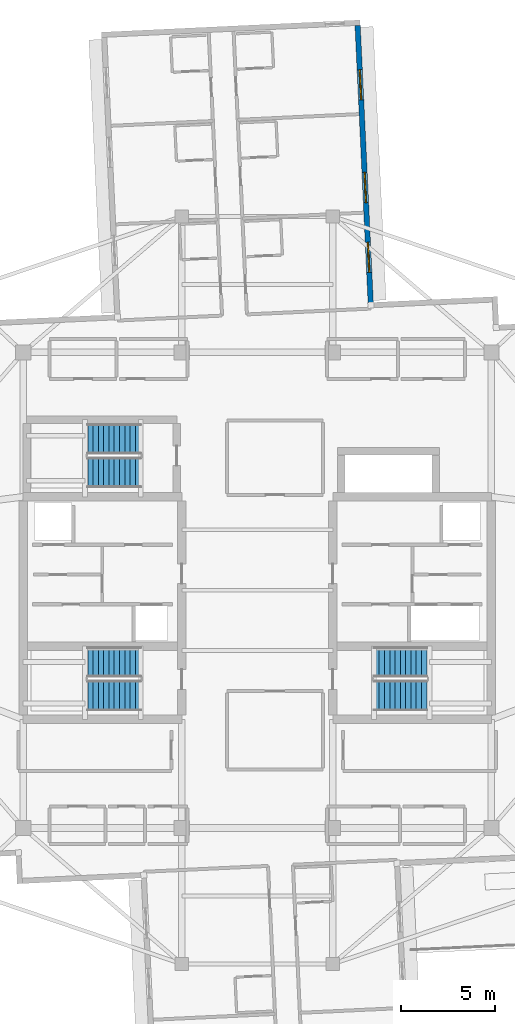
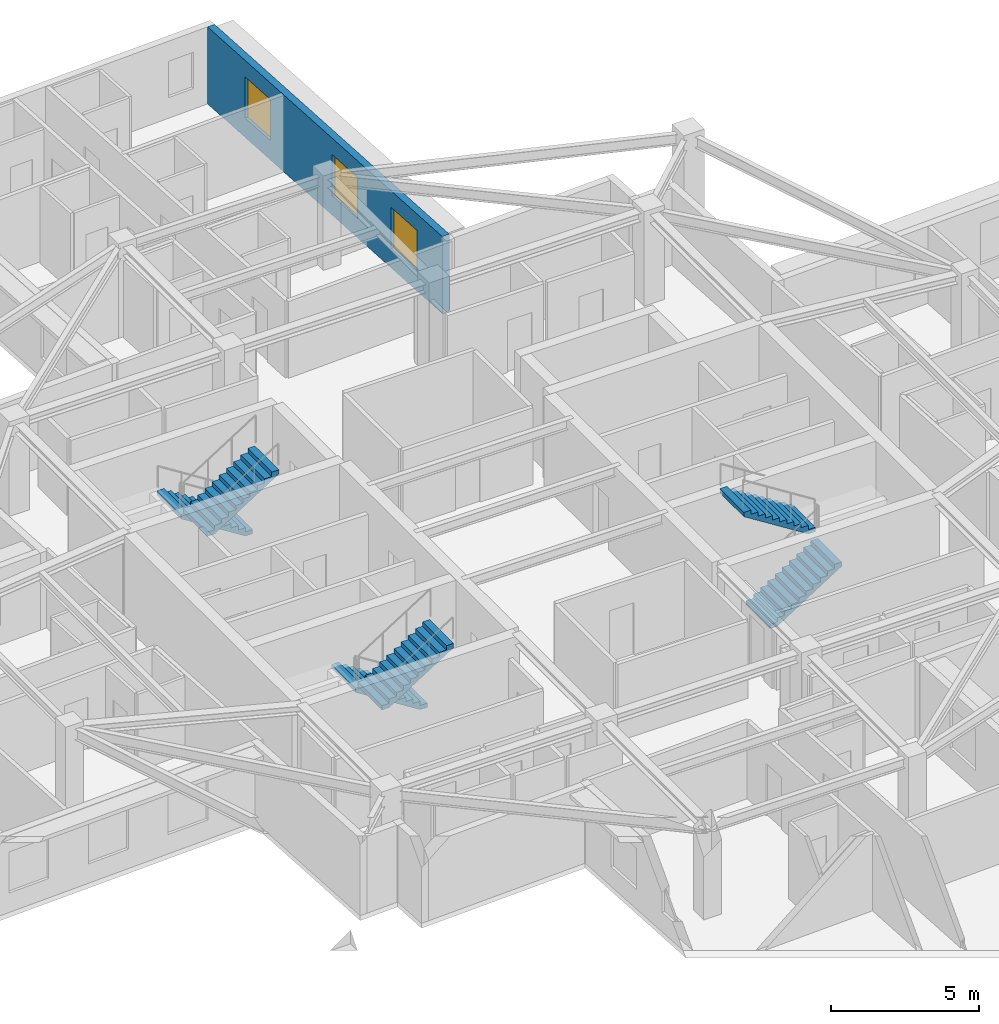
# One storey, part 9 of 13: 6 stair flights, 3 windows, 1 wall, 3 openings, 3 elements without a shape of their own.
"""IFC4 building model written with IfcOpenShell, lengths in metres."""

import ifcopenshell
import ifcopenshell.guid

model = None  # the IFC model being written
_history = None  # IfcOwnerHistory: only IFC2X3 demands one
_inside = {}  # id of a spatial element -> (the spatial element, [elements in it])
_under = {}  # id of a project, library or spatial element -> (it, [spatial elements below it])
_declared = {}  # id of a project -> (the project, [libraries it declares])
_typed = {}  # id of a type object -> (the type object, [elements of that type])
_made_of = {}  # id of a material, layer set ... -> (it, [elements and type objects made of it])


def new_model(schema):
    """Start an empty IFC model of exactly this schema.

    Asked for "IFC4X3", IfcOpenShell would pick the latest addendum, in which some entities
    have other attributes; the version numbers below select the first issue.
    IFC2X3 requires an IfcOwnerHistory on every rooted entity: one is made here for all.
    """
    global model, _history
    if schema == "IFC4X3":
        model = ifcopenshell.file(schema_version=(4, 3, 0, 0))
    else:
        model = ifcopenshell.file(schema=schema)
    _inside.clear()
    _under.clear()
    _declared.clear()
    _typed.clear()
    _made_of.clear()
    _history = None
    if model.schema == "IFC2X3":
        org = make("IfcOrganization", Name="unknown")
        user = make(
            "IfcPersonAndOrganization",
            ThePerson=make("IfcPerson", FamilyName="unknown"),
            TheOrganization=org,
        )
        app = make(
            "IfcApplication",
            ApplicationDeveloper=org,
            Version="unknown",
            ApplicationFullName="unknown",
            ApplicationIdentifier="unknown",
        )
        _history = make(
            "IfcOwnerHistory",
            OwningUser=user,
            OwningApplication=app,
            ChangeAction="ADDED",
            CreationDate=0,
        )
    return model


def make(cls, **values):
    """One entity of the class cls with the attributes given. An attribute that is None is left unset."""
    return model.create_entity(
        cls, **{name: value for name, value in values.items() if value is not None}
    )


def rooted(cls, **values):
    """An entity with a GlobalId (a new one), such as an element, a storey or a relation."""
    return make(cls, GlobalId=ifcopenshell.guid.new(), OwnerHistory=_history, **values)


def si_unit(unit_type, name, prefix=None):
    """IfcSIUnit, for example si_unit("LENGTHUNIT", "METRE", prefix="MILLI")."""
    return make("IfcSIUnit", UnitType=unit_type, Prefix=prefix, Name=name)


def assignment(units):
    """IfcUnitAssignment: the units of a project."""
    return None if units is None else make("IfcUnitAssignment", Units=units)


def point(xyz):
    """IfcCartesianPoint."""
    return None if xyz is None else make("IfcCartesianPoint", Coordinates=xyz)


def direction(xyz):
    """IfcDirection."""
    return None if xyz is None else make("IfcDirection", DirectionRatios=xyz)


def frame(location, z_axis=None, x_axis=None):
    """IfcAxis2Placement3D, a coordinate frame: its origin and axes. An axis left out is left unset."""
    return make(
        "IfcAxis2Placement3D",
        Location=point(location),
        Axis=direction(z_axis),
        RefDirection=direction(x_axis),
    )


def frame_2d(location, x_axis=None):
    """IfcAxis2Placement2D, a coordinate frame in the plane: its origin and x axis."""
    return make(
        "IfcAxis2Placement2D", Location=point(location), RefDirection=direction(x_axis)
    )


def origin():
    """The frame at (0, 0, 0) with its axes left unset."""
    return frame((0.0, 0.0, 0.0))


def place(relative_to, where):
    """IfcLocalPlacement: puts the frame where relative to a parent placement (None: the world)."""
    return make(
        "IfcLocalPlacement", PlacementRelTo=relative_to, RelativePlacement=where
    )


def context(
    kind, dimensions, precision=None, world=None, true_north=None, identifier=None
):
    """IfcGeometricRepresentationContext, for example the 3D "Model" context."""
    return make(
        "IfcGeometricRepresentationContext",
        ContextIdentifier=identifier,
        ContextType=kind,
        CoordinateSpaceDimension=dimensions,
        Precision=precision,
        WorldCoordinateSystem=world,
        TrueNorth=true_north,
    )


def subcontext(parent, identifier, kind, view, scale=None):
    """IfcGeometricRepresentationSubContext, for example "Body" below "Model"."""
    return make(
        "IfcGeometricRepresentationSubContext",
        ContextIdentifier=identifier,
        ContextType=kind,
        ParentContext=parent,
        TargetScale=scale,
        TargetView=view,
    )


def project(units=None, contexts=None):
    """IfcProject with its units and contexts."""
    return rooted(
        "IfcProject",
        Name="project",
        RepresentationContexts=contexts,
        UnitsInContext=assignment(units),
    )


def spatial(cls, under=None, at=None, **own):
    """A site, building, storey or space (cls), placed at a placement, below another one or the project."""
    s = rooted(cls, ObjectPlacement=at, **own)
    if under is not None:
        _under.setdefault(under.id(), (under, []))[1].append(s)
    return s


def polyline(points):
    """IfcPolyline through the points."""
    return make("IfcPolyline", Points=[point(p) for p in points])


def profile(cls, at=None, kind="AREA", **sizes):
    """A parametric profile (cls). Its sizes go by their IFC names, for example OverallWidth=200.0."""
    return make(cls, ProfileType=kind, Position=at, **sizes)


def rectangle(**sizes):
    """IfcRectangleProfileDef."""
    return profile("IfcRectangleProfileDef", **sizes)


def outline(outer, holes=None, kind="AREA"):
    """IfcArbitraryClosedProfileDef: a profile drawn as a closed curve; with holes, ...WithVoids."""
    if holes is None:
        return make("IfcArbitraryClosedProfileDef", ProfileType=kind, OuterCurve=outer)
    return make(
        "IfcArbitraryProfileDefWithVoids",
        ProfileType=kind,
        OuterCurve=outer,
        InnerCurves=holes,
    )


def extrude(swept, where, along, depth):
    """IfcExtrudedAreaSolid: the profile swept, set in the frame where, extruded along a direction by depth."""
    return make(
        "IfcExtrudedAreaSolid",
        SweptArea=swept,
        Position=where,
        ExtrudedDirection=direction(along),
        Depth=depth,
    )


def shape(context_of_items, identifier, shape_type, items):
    """IfcShapeRepresentation: the items that make up one representation, for example the "Body"."""
    return make(
        "IfcShapeRepresentation",
        ContextOfItems=context_of_items,
        RepresentationIdentifier=identifier,
        RepresentationType=shape_type,
        Items=items,
    )


def material(Name=None, Category=None):
    """IfcMaterial."""
    return make("IfcMaterial", Name=Name, Category=Category)


def layer(
    of_material, thickness, ventilated=None, Name=None, Category=None, Priority=None
):
    """IfcMaterialLayer: one layer of a wall or slab, of a material (None: an air gap)."""
    return make(
        "IfcMaterialLayer",
        Material=of_material,
        LayerThickness=thickness,
        IsVentilated=ventilated,
        Name=Name,
        Category=Category,
        Priority=Priority,
    )


def layer_set(layers, Name=None):
    """IfcMaterialLayerSet."""
    return make("IfcMaterialLayerSet", MaterialLayers=layers, LayerSetName=Name)


def made_of(thing, what):
    """Note that an element or type object is made of a material, layer set ...; save() writes the relation."""
    if what is not None:
        _made_of.setdefault(what.id(), (what, []))[1].append(thing)
    return thing


def type_object(cls, material=None, **own):
    """A type object (cls), such as IfcWallType, which elements share."""
    return made_of(rooted(cls, **own), material)


def element(
    cls,
    number,
    at=None,
    inside=None,
    cuts=None,
    type_object=None,
    material=None,
    context=None,
    identifier="Body",
    shape_type=None,
    held_by="IfcProductDefinitionShape",
    body=None,
    shapes=None,
    **own,
):
    """One element of the class cls, such as IfcWall. Its Tag is "e" and its number.

    at: its placement. inside: the storey or other place that contains it. cuts: it is an
    opening in that element (IfcRelVoidsElement). A single representation is given by context,
    identifier, shape_type and body (its items); several are given by shapes. held_by: the class
    of the entity that holds the representations. save() writes the other relations.
    """
    e = rooted(cls, Tag="e%d" % number, ObjectPlacement=at, **own)
    if body is not None:
        shapes = [shape(context, identifier, shape_type, body)]
    if shapes is not None:
        e.Representation = make(held_by, Representations=shapes)
    if inside is not None:
        _inside.setdefault(inside.id(), (inside, []))[1].append(e)
    if cuts is not None:
        rooted(
            "IfcRelVoidsElement", RelatingBuildingElement=cuts, RelatedOpeningElement=e
        )
    if type_object is not None:
        _typed.setdefault(type_object.id(), (type_object, []))[1].append(e)
    return made_of(e, material)


def fill(opening, filler):
    """IfcRelFillsElement: the door or window that sits in an opening."""
    return rooted(
        "IfcRelFillsElement",
        RelatingOpeningElement=opening,
        RelatedBuildingElement=filler,
    )


def aggregate(whole, parts):
    """IfcRelAggregates: a whole, such as a stair, and the parts it consists of."""
    return rooted("IfcRelAggregates", RelatingObject=whole, RelatedObjects=parts)


def save(model, path):
    """Write the relations noted so far, then the file.

    IfcRelAggregates (storeys below a building ...), IfcRelContainedInSpatialStructure (elements
    in a storey), IfcRelDefinesByType, IfcRelAssociatesMaterial and IfcRelDeclares: one each for
    every whole, place, type object, material and project.
    """
    for whole, parts in _under.values():
        aggregate(whole, parts)
    for where, things in _inside.values():
        rooted(
            "IfcRelContainedInSpatialStructure",
            RelatedElements=things,
            RelatingStructure=where,
        )
    for kind, things in _typed.values():
        rooted("IfcRelDefinesByType", RelatedObjects=things, RelatingType=kind)
    for what, things in _made_of.values():
        rooted("IfcRelAssociatesMaterial", RelatedObjects=things, RelatingMaterial=what)
    for by, libraries in _declared.values():
        rooted("IfcRelDeclares", RelatingContext=by, RelatedDefinitions=libraries)
    model.write(path)


model = new_model("IFC4")

# Units and contexts
model_context = context("Model", 3, precision=1e-05, world=origin(), true_north=direction((0.0, 1.0)))
body_context = subcontext(model_context, "Body", "Model", "MODEL_VIEW")
ifc_project = project(units=[si_unit("LENGTHUNIT", "METRE"), si_unit("AREAUNIT", "SQUARE_METRE"), si_unit("VOLUMEUNIT", "CUBIC_METRE"), si_unit("PLANEANGLEUNIT", "RADIAN"), si_unit("MASSUNIT", "GRAM", prefix="KILO")], contexts=[model_context])

# Site, building, storey
site_placement = place(None, origin())
site = spatial("IfcSite", under=ifc_project, at=site_placement, CompositionType="ELEMENT")
building_placement = place(site_placement, origin())
building = spatial("IfcBuilding", under=site, at=building_placement, Name="Qingluan Cross Belvedere", CompositionType="ELEMENT")
storey_placement = place(building_placement, frame((0.0, 0.0, 277.199951171875)))
storey = spatial("IfcBuildingStorey", under=building, at=storey_placement, Name="L69", CompositionType="ELEMENT", Elevation=277.199951171875)

# Wall, openings, windows
ifc_material_1 = material(Name="Precast concrete C45", Category="concrete")
ifc_layer_1 = layer(ifc_material_1, 0.280029296875, Name="PrecastFacadeWall_280")
ifc_layer_set_1 = layer_set([ifc_layer_1], Name="Precast concrete C45")
wall_type = type_object("IfcWallType", Name="PrecastFacadeWall_280", PredefinedType="STANDARD", material=ifc_layer_set_1)
wall_placement = place(storey_placement, frame((6.0087890625, 15.239990234375, 0.0), z_axis=(0.0, 0.0, 1.0), x_axis=(-0.047101163748, 0.998890124275, 0.0)))
wall = element("IfcWall", 1, at=wall_placement, inside=storey, type_object=wall_type, Name="Facade wall L69-NA", PredefinedType="STANDARD", context=body_context, shape_type="SweptSolid", body=[
    extrude(rectangle(XDim=14.699951171875, YDim=0.280029296875, at=frame_2d((7.35009765625, 0.0))), origin(), (0.0, 0.0, 1.0), 3.179931640625),
])
opening_1_placement = place(wall_placement, frame((1.60009765625, 0.0, 0.800048828125)))
opening_1 = element("IfcOpeningElement", 2, at=opening_1_placement, cuts=wall, Name="Opening W-04", PredefinedType="OPENING", context=body_context, shape_type="SweptSolid", body=[
    extrude(rectangle(XDim=1.60009765625, YDim=1.699951171875, at=frame_2d((0.800048828125, 0.85009765625))), frame((0.0, 0.14990234375, 0.0), z_axis=(0.0, -1.0, 0.0), x_axis=(1.0, 0.0, 0.0)), (0.0, 0.0, 1.0), 0.300048828125),
])
opening_2_placement = place(wall_placement, frame((5.300048828125, 0.0, 0.800048828125)))
opening_2 = element("IfcOpeningElement", 3, at=opening_2_placement, cuts=wall, Name="Opening W-04", PredefinedType="OPENING", context=body_context, shape_type="SweptSolid", body=[
    extrude(rectangle(XDim=1.60009765625, YDim=1.699951171875, at=frame_2d((0.800048828125, 0.85009765625))), frame((0.0, 0.14990234375, 0.0), z_axis=(0.0, -1.0, 0.0), x_axis=(1.0, 0.0, 0.0)), (0.0, 0.0, 1.0), 0.300048828125),
])
opening_3_placement = place(wall_placement, frame((10.75, 0.0, 0.800048828125)))
opening_3 = element("IfcOpeningElement", 4, at=opening_3_placement, cuts=wall, Name="Opening W-04", PredefinedType="OPENING", context=body_context, shape_type="SweptSolid", body=[
    extrude(rectangle(XDim=1.60009765625, YDim=1.699951171875, at=frame_2d((0.800048828125, 0.85009765625))), frame((0.0, 0.14990234375, 0.0), z_axis=(0.0, -1.0, 0.0), x_axis=(1.0, 0.0, 0.0)), (0.0, 0.0, 1.0), 0.300048828125),
])
ifc_material_2 = material(Name="Thermally broken triple Low-E glass in aluminium frame", Category="aluminium")
window_type = type_object("IfcWindowType", Name="SuiteCornerWin_1600x1700", PartitioningType="SINGLE_PANEL", PredefinedType="WINDOW", material=ifc_material_2)
window_1_placement = place(opening_1_placement, origin())
window_1 = element("IfcWindow", 5, at=window_1_placement, inside=storey, type_object=window_type, Name="Ribbon window L69-NA-1", OverallHeight=1.699951171875, OverallWidth=1.60009765625, PartitioningType="SINGLE_PANEL", PredefinedType="WINDOW", context=body_context, shape_type="SweptSolid", body=[
    extrude(rectangle(XDim=1.60009765625, YDim=1.699951171875, at=frame_2d((0.800048828125, 0.85009765625))), frame((0.0, 0.030029296875, 0.0), z_axis=(0.0, -1.0, 0.0), x_axis=(1.0, 0.0, 0.0)), (0.0, 0.0, 1.0), 0.06005859375),
])
fill(opening_1, window_1)
window_2_placement = place(opening_2_placement, origin())
window_2 = element("IfcWindow", 6, at=window_2_placement, inside=storey, type_object=window_type, Name="Ribbon window L69-NA-2", OverallHeight=1.699951171875, OverallWidth=1.60009765625, PartitioningType="SINGLE_PANEL", PredefinedType="WINDOW", context=body_context, shape_type="SweptSolid", body=[
    extrude(rectangle(XDim=1.60009765625, YDim=1.699951171875, at=frame_2d((0.800048828125, 0.85009765625))), frame((0.0, 0.030029296875, 0.0), z_axis=(0.0, -1.0, 0.0), x_axis=(1.0, 0.0, 0.0)), (0.0, 0.0, 1.0), 0.06005859375),
])
fill(opening_2, window_2)
window_3_placement = place(opening_3_placement, origin())
window_3 = element("IfcWindow", 7, at=window_3_placement, inside=storey, type_object=window_type, Name="Ribbon window L69-NA-3", OverallHeight=1.699951171875, OverallWidth=1.60009765625, PartitioningType="SINGLE_PANEL", PredefinedType="WINDOW", context=body_context, shape_type="SweptSolid", body=[
    extrude(rectangle(XDim=1.60009765625, YDim=1.699951171875, at=frame_2d((0.800048828125, 0.85009765625))), frame((0.0, 0.030029296875, 0.0), z_axis=(0.0, -1.0, 0.0), x_axis=(1.0, 0.0, 0.0)), (0.0, 0.0, 1.0), 0.06005859375),
])
fill(opening_3, window_3)

# Stair, stair flights
ifc_material_3 = material(Name="Concrete C40", Category="concrete")
stair_type = type_object("IfcStairType", Name="CoreDoglegStair_1620", PredefinedType="HALF_TURN_STAIR", material=ifc_material_3)
stair_1_placement = place(storey_placement, origin())
stair_1 = element("IfcStair", 8, at=stair_1_placement, inside=storey, type_object=stair_type, Name="L69 ST1", PredefinedType="HALF_TURN_STAIR")
ifc_material_4 = material(Name="Concrete C40", Category="concrete")
ifc_layer_2 = layer(ifc_material_4, 0.179931640625, Name="StairFlight_RC180")
ifc_layer_set_2 = layer_set([ifc_layer_2], Name="Concrete C40")
stair_flight_type = type_object("IfcStairFlightType", Name="StairFlight_RC180", PredefinedType="STRAIGHT", material=ifc_layer_set_2)
stair_flight_1_placement = place(storey_placement, frame((-6.179931640625, -3.81005859375, 0.0), z_axis=(0.0, 0.0, 1.0), x_axis=(-1.0, 0.0, 0.0)))
stair_flight_1 = element("IfcStairFlight", 9, at=stair_flight_1_placement, type_object=stair_flight_type, Name="ST1 flight 1", NumberOfRisers=11, NumberOfTreads=10, PredefinedType="STRAIGHT", RiserHeight=0.177272727, TreadLength=0.28, context=body_context, shape_type="SweptSolid", body=[
    extrude(outline(polyline([(0.0, 0.0), (0.0, 0.17724609375), (0.280029296875, 0.17724609375), (0.280029296875, 0.3544921875), (0.56005859375, 0.3544921875), (0.56005859375, 0.53173828125), (0.840087890625, 0.53173828125), (0.840087890625, 0.708984375), (1.1201171875, 0.708984375), (1.1201171875, 0.886474609375), (1.39990234375, 0.886474609375), (1.39990234375, 1.063720703125), (1.679931640625, 1.063720703125), (1.679931640625, 1.240966796875), (1.9599609375, 1.240966796875), (1.9599609375, 1.418212890625), (2.239990234375, 1.418212890625), (2.239990234375, 1.595458984375), (2.52001953125, 1.595458984375), (2.52001953125, 1.772705078125), (2.800048828125, 1.772705078125), (2.800048828125, 1.949951171875), (2.800048828125, 1.59521484375), (0.2802734375, 0.0), (0.0, 0.0)])), frame((0.0, 0.81005859375, 0.0), z_axis=(0.0, -1.0, 0.0), x_axis=(1.0, 0.0, 0.0)), (0.0, 0.0, 1.0), 1.6201171875),
])
stair_flight_2_placement = place(storey_placement, frame((-8.97998046875, -5.590087890625, 1.949951171875), z_axis=(0.0, 0.0, 1.0), x_axis=(1.0, 0.0, 0.0)))
stair_flight_2 = element("IfcStairFlight", 10, at=stair_flight_2_placement, type_object=stair_flight_type, Name="ST1 flight 2", NumberOfRisers=11, NumberOfTreads=10, PredefinedType="STRAIGHT", RiserHeight=0.177272727, TreadLength=0.28, context=body_context, shape_type="SweptSolid", body=[
    extrude(outline(polyline([(0.0, 0.0), (0.0, 0.17724609375), (0.280029296875, 0.17724609375), (0.280029296875, 0.3544921875), (0.56005859375, 0.3544921875), (0.56005859375, 0.53173828125), (0.840087890625, 0.53173828125), (0.840087890625, 0.708984375), (1.1201171875, 0.708984375), (1.1201171875, 0.886474609375), (1.39990234375, 0.886474609375), (1.39990234375, 1.063720703125), (1.679931640625, 1.063720703125), (1.679931640625, 1.240966796875), (1.9599609375, 1.240966796875), (1.9599609375, 1.418212890625), (2.239990234375, 1.418212890625), (2.239990234375, 1.595458984375), (2.52001953125, 1.595458984375), (2.52001953125, 1.772705078125), (2.800048828125, 1.772705078125), (2.800048828125, 1.949951171875), (2.800048828125, 1.59521484375), (0.2802734375, 0.0), (0.0, 0.0)])), frame((0.0, 0.81005859375, 0.0), z_axis=(0.0, -1.0, 0.0), x_axis=(1.0, 0.0, 0.0)), (0.0, 0.0, 1.0), 1.6201171875),
])
aggregate(stair_1, [stair_flight_1, stair_flight_2])

stair_2_placement = place(storey_placement, origin())
stair_2 = element("IfcStair", 11, at=stair_2_placement, inside=storey, type_object=stair_type, Name="L69 ST2", PredefinedType="HALF_TURN_STAIR")
stair_flight_3_placement = place(storey_placement, frame((6.179931640625, -5.590087890625, 0.0), z_axis=(0.0, 0.0, 1.0), x_axis=(1.0, 0.0, 0.0)))
stair_flight_3 = element("IfcStairFlight", 12, at=stair_flight_3_placement, type_object=stair_flight_type, Name="ST2 flight 1", NumberOfRisers=11, NumberOfTreads=10, PredefinedType="STRAIGHT", RiserHeight=0.177272727, TreadLength=0.28, context=body_context, shape_type="SweptSolid", body=[
    extrude(outline(polyline([(0.0, 0.0), (0.0, 0.17724609375), (0.280029296875, 0.17724609375), (0.280029296875, 0.3544921875), (0.56005859375, 0.3544921875), (0.56005859375, 0.53173828125), (0.840087890625, 0.53173828125), (0.840087890625, 0.708984375), (1.1201171875, 0.708984375), (1.1201171875, 0.886474609375), (1.39990234375, 0.886474609375), (1.39990234375, 1.063720703125), (1.679931640625, 1.063720703125), (1.679931640625, 1.240966796875), (1.9599609375, 1.240966796875), (1.9599609375, 1.418212890625), (2.239990234375, 1.418212890625), (2.239990234375, 1.595458984375), (2.52001953125, 1.595458984375), (2.52001953125, 1.772705078125), (2.800048828125, 1.772705078125), (2.800048828125, 1.949951171875), (2.800048828125, 1.59521484375), (0.2802734375, 0.0), (0.0, 0.0)])), frame((0.0, 0.81005859375, 0.0), z_axis=(0.0, -1.0, 0.0), x_axis=(1.0, 0.0, 0.0)), (0.0, 0.0, 1.0), 1.6201171875),
])
stair_flight_4_placement = place(storey_placement, frame((8.97998046875, -3.81005859375, 1.949951171875), z_axis=(0.0, 0.0, 1.0), x_axis=(-1.0, 0.0, 0.0)))
stair_flight_4 = element("IfcStairFlight", 13, at=stair_flight_4_placement, type_object=stair_flight_type, Name="ST2 flight 2", NumberOfRisers=11, NumberOfTreads=10, PredefinedType="STRAIGHT", RiserHeight=0.177272727, TreadLength=0.28, context=body_context, shape_type="SweptSolid", body=[
    extrude(outline(polyline([(0.0, 0.0), (0.0, 0.17724609375), (0.280029296875, 0.17724609375), (0.280029296875, 0.3544921875), (0.56005859375, 0.3544921875), (0.56005859375, 0.53173828125), (0.840087890625, 0.53173828125), (0.840087890625, 0.708984375), (1.1201171875, 0.708984375), (1.1201171875, 0.886474609375), (1.39990234375, 0.886474609375), (1.39990234375, 1.063720703125), (1.679931640625, 1.063720703125), (1.679931640625, 1.240966796875), (1.9599609375, 1.240966796875), (1.9599609375, 1.418212890625), (2.239990234375, 1.418212890625), (2.239990234375, 1.595458984375), (2.52001953125, 1.595458984375), (2.52001953125, 1.772705078125), (2.800048828125, 1.772705078125), (2.800048828125, 1.949951171875), (2.800048828125, 1.59521484375), (0.2802734375, 0.0), (0.0, 0.0)])), frame((0.0, 0.81005859375, 0.0), z_axis=(0.0, -1.0, 0.0), x_axis=(1.0, 0.0, 0.0)), (0.0, 0.0, 1.0), 1.6201171875),
])
aggregate(stair_2, [stair_flight_3, stair_flight_4])

stair_3_placement = place(storey_placement, origin())
stair_3 = element("IfcStair", 14, at=stair_3_placement, inside=storey, type_object=stair_type, Name="L69 ST3", PredefinedType="HALF_TURN_STAIR")
stair_flight_5_placement = place(storey_placement, frame((-6.179931640625, 8.010009765625, 0.0), z_axis=(0.0, 0.0, 1.0), x_axis=(-1.0, 0.0, 0.0)))
stair_flight_5 = element("IfcStairFlight", 15, at=stair_flight_5_placement, type_object=stair_flight_type, Name="ST3 flight 1", NumberOfRisers=11, NumberOfTreads=10, PredefinedType="STRAIGHT", RiserHeight=0.177272727, TreadLength=0.28, context=body_context, shape_type="SweptSolid", body=[
    extrude(outline(polyline([(0.0, 0.0), (0.0, 0.17724609375), (0.280029296875, 0.17724609375), (0.280029296875, 0.3544921875), (0.56005859375, 0.3544921875), (0.56005859375, 0.53173828125), (0.840087890625, 0.53173828125), (0.840087890625, 0.708984375), (1.1201171875, 0.708984375), (1.1201171875, 0.886474609375), (1.39990234375, 0.886474609375), (1.39990234375, 1.063720703125), (1.679931640625, 1.063720703125), (1.679931640625, 1.240966796875), (1.9599609375, 1.240966796875), (1.9599609375, 1.418212890625), (2.239990234375, 1.418212890625), (2.239990234375, 1.595458984375), (2.52001953125, 1.595458984375), (2.52001953125, 1.772705078125), (2.800048828125, 1.772705078125), (2.800048828125, 1.949951171875), (2.800048828125, 1.59521484375), (0.2802734375, 0.0), (0.0, 0.0)])), frame((0.0, 0.81005859375, 0.0), z_axis=(0.0, -1.0, 0.0), x_axis=(1.0, 0.0, 0.0)), (0.0, 0.0, 1.0), 1.6201171875),
])
stair_flight_6_placement = place(storey_placement, frame((-8.97998046875, 6.22998046875, 1.949951171875), z_axis=(0.0, 0.0, 1.0), x_axis=(1.0, 0.0, 0.0)))
stair_flight_6 = element("IfcStairFlight", 16, at=stair_flight_6_placement, type_object=stair_flight_type, Name="ST3 flight 2", NumberOfRisers=11, NumberOfTreads=10, PredefinedType="STRAIGHT", RiserHeight=0.177272727, TreadLength=0.28, context=body_context, shape_type="SweptSolid", body=[
    extrude(outline(polyline([(0.0, 0.0), (0.0, 0.17724609375), (0.280029296875, 0.17724609375), (0.280029296875, 0.3544921875), (0.56005859375, 0.3544921875), (0.56005859375, 0.53173828125), (0.840087890625, 0.53173828125), (0.840087890625, 0.708984375), (1.1201171875, 0.708984375), (1.1201171875, 0.886474609375), (1.39990234375, 0.886474609375), (1.39990234375, 1.063720703125), (1.679931640625, 1.063720703125), (1.679931640625, 1.240966796875), (1.9599609375, 1.240966796875), (1.9599609375, 1.418212890625), (2.239990234375, 1.418212890625), (2.239990234375, 1.595458984375), (2.52001953125, 1.595458984375), (2.52001953125, 1.772705078125), (2.800048828125, 1.772705078125), (2.800048828125, 1.949951171875), (2.800048828125, 1.59521484375), (0.2802734375, 0.0), (0.0, 0.0)])), frame((0.0, 0.81005859375, 0.0), z_axis=(0.0, -1.0, 0.0), x_axis=(1.0, 0.0, 0.0)), (0.0, 0.0, 1.0), 1.6201171875),
])
aggregate(stair_3, [stair_flight_5, stair_flight_6])

save(model, "model.ifc")
